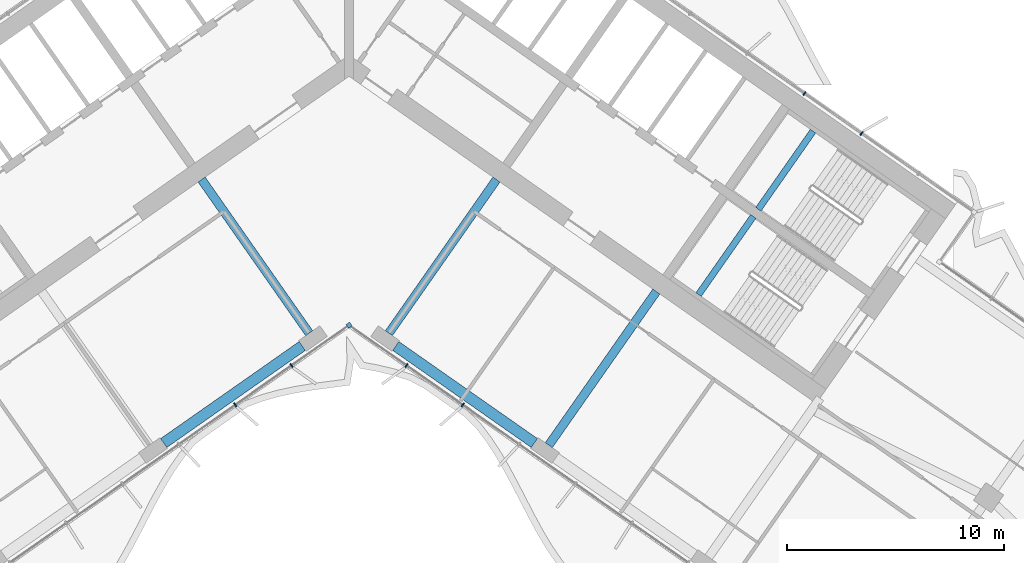
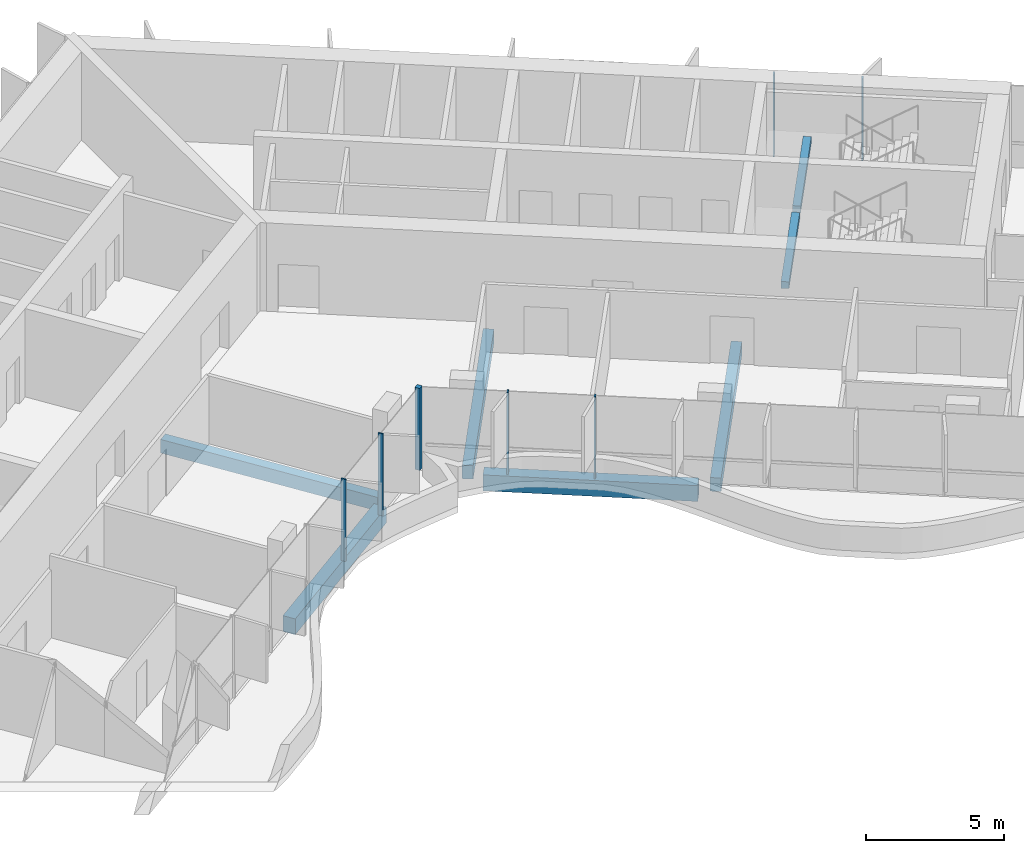
# One storey, part 6 of 21: 7 beams, 7 members, 2 elements without a shape of their own.
"""IFC4 building model written with IfcOpenShell, lengths in metres."""

from ifc_helpers import new_model, si_unit, direction, frame, origin, origin_2d, place, context, subcontext, project, spatial, rectangle, extrude, material, material_profile, profile_set, type_object, element, aggregate, save


model = new_model("IFC4")

# Units and contexts
model_context = context("Model", 3, precision=1e-05, world=origin(), true_north=direction((0.0, 1.0)))
body_context = subcontext(model_context, "Body", "Model", "MODEL_VIEW")
ifc_project = project(units=[si_unit("LENGTHUNIT", "METRE"), si_unit("AREAUNIT", "SQUARE_METRE"), si_unit("VOLUMEUNIT", "CUBIC_METRE"), si_unit("PLANEANGLEUNIT", "RADIAN"), si_unit("MASSUNIT", "GRAM", prefix="KILO")], contexts=[model_context])

# Site, building, storey
site_placement = place(None, origin())
site = spatial("IfcSite", under=ifc_project, at=site_placement, CompositionType="ELEMENT")
building_placement = place(site_placement, origin())
building = spatial("IfcBuilding", under=site, at=building_placement, Name="Tel Ilan Convention Tower", CompositionType="ELEMENT")
storey_placement = place(building_placement, frame((0.0, 0.0, 139.800048828125)))
storey = spatial("IfcBuildingStorey", under=building, at=storey_placement, Name="L31", CompositionType="ELEMENT", Elevation=139.800048828125)

# Beams
ifc_material_1 = material(Name="Concrete C40/50", Category="concrete")
ifc_material_profile_1 = material_profile(ifc_material_1, rectangle(XDim=0.39990234375, YDim=0.60009765625, at=origin_2d()), Name="RC 400x600")
ifc_profile_set_1 = profile_set([ifc_material_profile_1], Name="Concrete C40/50")
beam_type_1 = type_object("IfcBeamType", Name="Beam RC 400x600 Concrete C40/50", PredefinedType="BEAM", material=ifc_profile_set_1)
for number, where, z_axis, x_axis, name in (
    (1, (-1.83740234375, -13.06689453125, -0.580078125), (-0.573574099654, 0.819153680457, 0.0), (-0.819153680457, -0.573574099654, 0.0), "L31 beam W-W-F1-core"),
    (2, (1.83740234375, -13.06689453125, -0.580078125), (0.573574099654, 0.819153680457, 0.0), (-0.819153680457, 0.573574099654, 0.0), "L31 beam E-E-F1-core"),
    (3, (9.209716796875, -18.229248046875, -0.580078125), (0.573574099654, 0.819153680457, 0.0), (-0.819153680457, 0.573574099654, 0.0), "L31 beam E-E-F2-core"),
):
    element("IfcBeam", number, at=place(storey_placement, frame(where, z_axis=z_axis, x_axis=x_axis)), inside=storey, type_object=beam_type_1, Name=name, PredefinedType="BEAM", context=body_context, shape_type="SweptSolid", body=[
        extrude(rectangle(XDim=0.39990234375, YDim=0.60009765625, at=origin_2d()), origin(), (0.0, 0.0, 1.0), 8.64990234375),
    ])
ifc_material_2 = material(Name="Concrete C40/50", Category="concrete")
ifc_material_profile_2 = material_profile(ifc_material_2, rectangle(XDim=0.5, YDim=0.699951171875, at=origin_2d()), Name="RC 500x700")
ifc_profile_set_2 = profile_set([ifc_material_profile_2], Name="Concrete C40/50")
beam_type_2 = type_object("IfcBeamType", Name="Beam RC 500x700 Concrete C40/50", PredefinedType="BEAM", material=ifc_profile_set_2)
for number, where, z_axis, x_axis, name in (
    (4, (-2.15673828125, -13.656982421875, -0.630126953125), (-0.819153977895, -0.573573674866, 0.0), (0.573573674866, -0.819153977895, 0.0), "L31 beam W-W-F1-W-F2"),
    (5, (2.15673828125, -13.656982421875, -0.630126953125), (0.819153977895, -0.573573674866, 0.0), (0.573573674866, 0.819153977895, 0.0), "L31 beam E-E-F1-E-F2"),
):
    element("IfcBeam", number, at=place(storey_placement, frame(where, z_axis=z_axis, x_axis=x_axis)), inside=storey, type_object=beam_type_2, Name=name, PredefinedType="BEAM", context=body_context, shape_type="SweptSolid", body=[
        extrude(rectangle(XDim=0.5, YDim=0.699951171875, at=origin_2d()), origin(), (0.0, 0.0, 1.0), 7.800048828125),
    ])

# Curtain wall, member
ifc_material_3 = material(Name="Aluminium, bronze anodised", Category="aluminium")
curtain_wall_type_1 = type_object("IfcCurtainWallType", Name="CW4 STICK CURTAIN WALL, OFFICE TINTED GLASS", PredefinedType="NOTDEFINED", material=ifc_material_3)
curtain_wall_1_placement = place(storey_placement, origin())
curtain_wall_1 = element("IfcCurtainWall", 6, at=curtain_wall_1_placement, inside=storey, type_object=curtain_wall_type_1, Name="Curtain wall CW4-25.02", PredefinedType="NOTDEFINED")
ifc_material_4 = material(Name="Aluminium, bronze anodised", Category="aluminium")
ifc_material_profile_3 = material_profile(ifc_material_4, rectangle(XDim=0.199951171875, YDim=0.199951171875, at=origin_2d()), Name="CW CORNER MULLION 200x200")
ifc_profile_set_3 = profile_set([ifc_material_profile_3], Name="Aluminium, bronze anodised")
member_type_1 = type_object("IfcMemberType", Name="CW CORNER MULLION 200x200", PredefinedType="MULLION", material=ifc_profile_set_3)
member_1_placement = place(storey_placement, frame((0.0, -12.696044921875, 0.0), z_axis=(0.0, 0.0, 1.0), x_axis=(0.819152044289, 0.573576436351, 0.0)))
member_1 = element("IfcMember", 7, at=member_1_placement, type_object=member_type_1, Name="Corner mullion", PredefinedType="MULLION", context=body_context, shape_type="SweptSolid", body=[
    extrude(rectangle(XDim=0.199951171875, YDim=0.199951171875, at=origin_2d()), origin(), (0.0, 0.0, 1.0), 3.619873046875),
])

# Curtain wall, members
ifc_material_5 = material(Name="Aluminium, bronze anodised", Category="aluminium")
curtain_wall_type_2 = type_object("IfcCurtainWallType", Name="CW2 STICK CURTAIN WALL, SPANDREL PANELS", PredefinedType="NOTDEFINED", material=ifc_material_5)
curtain_wall_2_placement = place(storey_placement, origin())
curtain_wall_2 = element("IfcCurtainWall", 8, at=curtain_wall_2_placement, inside=storey, type_object=curtain_wall_type_2, Name="Curtain wall CW2-25.01", PredefinedType="NOTDEFINED")
ifc_material_6 = material(Name="Aluminium, bronze anodised", Category="aluminium")
ifc_material_profile_4 = material_profile(ifc_material_6, rectangle(XDim=0.06005859375, YDim=0.199951171875, at=origin_2d()), Name="CW MULLION 60x200")
ifc_profile_set_4 = profile_set([ifc_material_profile_4], Name="Aluminium, bronze anodised")
member_type_2 = type_object("IfcMemberType", Name="CW MULLION 60x200", PredefinedType="MULLION", material=ifc_profile_set_4)
member_2_placement = place(storey_placement, frame((23.63623046875, -3.854248046875, 0.0), z_axis=(0.0, 0.0, 1.0), x_axis=(-0.819152044289, 0.573576436351, 0.0)))
member_2 = element("IfcMember", 9, at=member_2_placement, type_object=member_type_2, Name="Mullion", PredefinedType="MULLION", context=body_context, shape_type="SweptSolid", body=[
    extrude(rectangle(XDim=0.06005859375, YDim=0.199951171875, at=origin_2d()), origin(), (0.0, 0.0, 1.0), 3.619873046875),
])
member_3_placement = place(storey_placement, frame((21.003662109375, -2.0107421875, 0.0), z_axis=(0.0, 0.0, 1.0), x_axis=(-0.819152044289, 0.573576436351, 0.0)))
member_3 = element("IfcMember", 10, at=member_3_placement, type_object=member_type_2, Name="Mullion", PredefinedType="MULLION", context=body_context, shape_type="SweptSolid", body=[
    extrude(rectangle(XDim=0.06005859375, YDim=0.199951171875, at=origin_2d()), origin(), (0.0, 0.0, 1.0), 3.619873046875),
])
aggregate(curtain_wall_2, [member_2, member_3])

# Member
member_4_placement = place(storey_placement, frame((-5.24755859375, -16.370361328125, 0.0), z_axis=(0.0, 0.0, 1.0), x_axis=(0.819152044289, 0.573576436351, 0.0)))
member_4 = element("IfcMember", 11, at=member_4_placement, type_object=member_type_2, Name="Mullion", PredefinedType="MULLION", context=body_context, shape_type="SweptSolid", body=[
    extrude(rectangle(XDim=0.06005859375, YDim=0.199951171875, at=origin_2d()), origin(), (0.0, 0.0, 1.0), 3.619873046875),
])

member_5_placement = place(storey_placement, frame((-2.65234375, -14.55322265625, 0.0), z_axis=(0.0, 0.0, 1.0), x_axis=(0.819152044289, 0.573576436351, 0.0)))
member_5 = element("IfcMember", 12, at=member_5_placement, type_object=member_type_2, Name="Mullion", PredefinedType="MULLION", context=body_context, shape_type="SweptSolid", body=[
    extrude(rectangle(XDim=0.06005859375, YDim=0.199951171875, at=origin_2d()), origin(), (0.0, 0.0, 1.0), 3.619873046875),
])

member_6_placement = place(storey_placement, frame((2.65234375, -14.55322265625, 0.0), z_axis=(0.0, 0.0, 1.0), x_axis=(0.819152044289, -0.573576436351, 0.0)))
member_6 = element("IfcMember", 13, at=member_6_placement, type_object=member_type_2, Name="Mullion", PredefinedType="MULLION", context=body_context, shape_type="SweptSolid", body=[
    extrude(rectangle(XDim=0.06005859375, YDim=0.199951171875, at=origin_2d()), origin(), (0.0, 0.0, 1.0), 3.619873046875),
])

member_7_placement = place(storey_placement, frame((5.24755859375, -16.370361328125, 0.0), z_axis=(0.0, 0.0, 1.0), x_axis=(0.819152044289, -0.573576436351, 0.0)))
member_7 = element("IfcMember", 14, at=member_7_placement, type_object=member_type_2, Name="Mullion", PredefinedType="MULLION", context=body_context, shape_type="SweptSolid", body=[
    extrude(rectangle(XDim=0.06005859375, YDim=0.199951171875, at=origin_2d()), origin(), (0.0, 0.0, 1.0), 3.619873046875),
])

aggregate(curtain_wall_1, [member_4, member_5, member_1, member_6, member_7])

# Beams
ifc_material_7 = material(Name="Concrete C40/50", Category="concrete")
ifc_material_profile_5 = material_profile(ifc_material_7, rectangle(XDim=0.300048828125, YDim=0.300048828125, at=origin_2d()), Name="RC 300x300")
ifc_profile_set_5 = profile_set([ifc_material_profile_5], Name="Concrete C40/50")
beam_type_3 = type_object("IfcBeamType", Name="Landing Beam RC 300x300 Concrete C40/50", PredefinedType="BEAM", material=ifc_profile_set_5)
beam_1_placement = place(storey_placement, frame((21.39404296875, -3.7490234375, 1.599853515625), z_axis=(-0.57354426506, -0.819174569928, 0.0), x_axis=(0.819174569928, -0.57354426506, 0.0)))
element("IfcBeam", 15, at=beam_1_placement, inside=storey, type_object=beam_type_3, Name="S3 landing beam L31.1", PredefinedType="BEAM", context=body_context, shape_type="SweptSolid", body=[
    extrude(rectangle(XDim=0.300048828125, YDim=0.300048828125, at=origin_2d()), origin(), (0.0, 0.0, 1.0), 4.400146484375),
])
beam_2_placement = place(storey_placement, frame((18.640869140625, -7.68115234375, 1.599853515625), z_axis=(-0.573570334442, -0.819156316858, 0.0), x_axis=(0.819156316858, -0.573570334442, 0.0)))
element("IfcBeam", 16, at=beam_2_placement, inside=storey, type_object=beam_type_3, Name="S4 landing beam L31.1", PredefinedType="BEAM", context=body_context, shape_type="SweptSolid", body=[
    extrude(rectangle(XDim=0.300048828125, YDim=0.300048828125, at=origin_2d()), origin(), (0.0, 0.0, 1.0), 4.39990234375),
])

save(model, "model.ifc")
